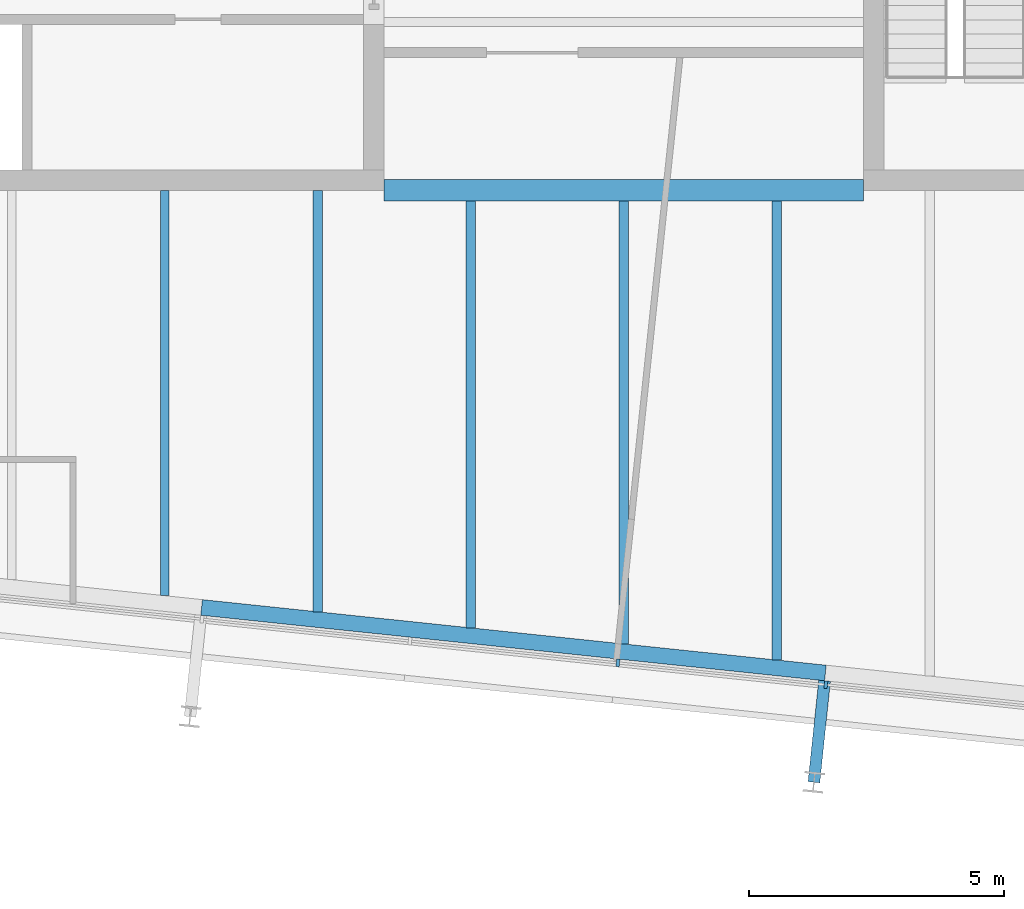
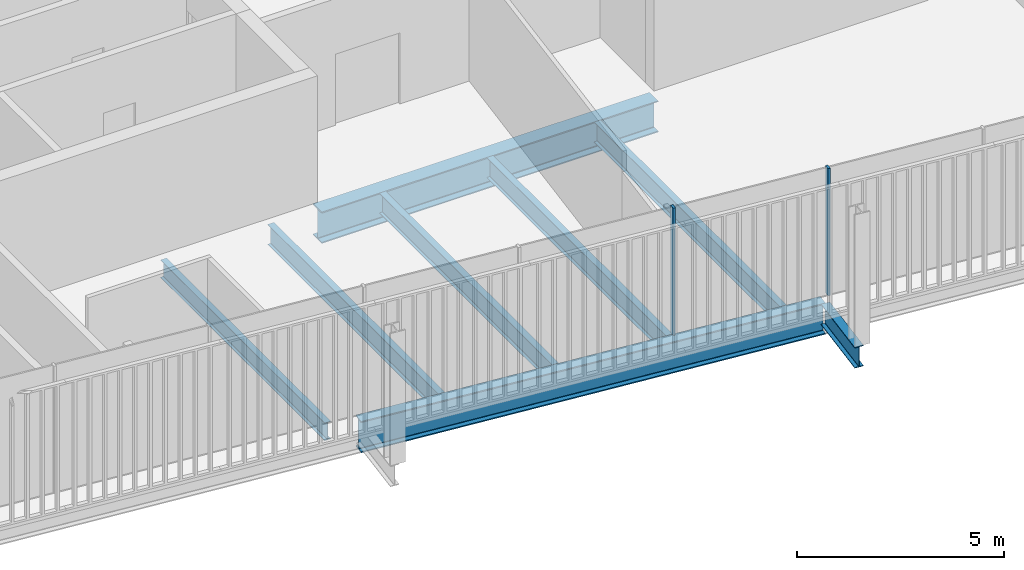
# One storey, part 5 of 20: 8 beams, 2 members, 1 element without a shape of its own.
"""IFC4 building model written with IfcOpenShell, lengths in metres."""

from ifc_helpers import new_model, si_unit, direction, frame, origin, origin_2d, place, context, subcontext, project, spatial, rectangle, i_section, extrude, material, layer, layer_set, material_profile, profile_set, type_object, element, aggregate, save


model = new_model("IFC4")

# Units and contexts
model_context = context("Model", 3, precision=1e-05, world=origin(), true_north=direction((0.0, 1.0)))
body_context = subcontext(model_context, "Body", "Model", "MODEL_VIEW")
ifc_project = project(units=[si_unit("LENGTHUNIT", "METRE"), si_unit("AREAUNIT", "SQUARE_METRE"), si_unit("VOLUMEUNIT", "CUBIC_METRE"), si_unit("PLANEANGLEUNIT", "RADIAN"), si_unit("MASSUNIT", "GRAM", prefix="KILO")], contexts=[model_context])

# Site, building, storey
site_placement = place(None, origin())
site = spatial("IfcSite", under=ifc_project, at=site_placement, CompositionType="ELEMENT")
building_placement = place(site_placement, origin())
building = spatial("IfcBuilding", under=site, at=building_placement, Name="Millrace Tower", CompositionType="ELEMENT")
storey_placement = place(building_placement, frame((0.0, 0.0, 330.39990234375)))
storey = spatial("IfcBuildingStorey", under=building, at=storey_placement, Name="L76", CompositionType="ELEMENT", Elevation=330.39990234375)

# Curtain wall, members
ifc_material_1 = material(Name="Aluminium and glass", Category="aluminium")
ifc_layer = layer(ifc_material_1, 0.14990234375)
ifc_layer_set = layer_set([ifc_layer], Name="Aluminium and glass")
curtain_wall_type = type_object("IfcCurtainWallType", Name="CW-1 office vision curtain wall", PredefinedType="NOTDEFINED", material=ifc_layer_set)
curtain_wall_placement = place(storey_placement, origin())
curtain_wall = element("IfcCurtainWall", 1, at=curtain_wall_placement, inside=storey, type_object=curtain_wall_type, Name="Curtain wall E-F02 L76", PredefinedType="NOTDEFINED")
ifc_material_2 = material(Name="Aluminium", Category="aluminium")
ifc_material_profile_1 = material_profile(ifc_material_2, rectangle(XDim=0.06494140625, YDim=0.14990234375, at=origin_2d()))
ifc_profile_set_1 = profile_set([ifc_material_profile_1], Name="Aluminium")
member_type = type_object("IfcMemberType", Name="CW-1 office vision curtain wall mullion", PredefinedType="MULLION", material=ifc_profile_set_1)
member_1_placement = place(storey_placement, frame((-0.11474609375, -18.567626953125, 0.14013671875), z_axis=(0.0, 0.0, 1.0), x_axis=(0.994521896217, -0.104528455196, 0.0)))
member_1 = element("IfcMember", 2, at=member_1_placement, type_object=member_type, Name="CW1 mullion E-F02.6", PredefinedType="MULLION", context=body_context, shape_type="SweptSolid", body=[
    extrude(rectangle(XDim=0.06494140625, YDim=0.14990234375, at=origin_2d()), origin(), (0.0, 0.0, 1.0), 3.760009765625),
])
member_2_placement = place(storey_placement, frame((3.962890625, -18.99609375, 0.14013671875), z_axis=(0.0, 0.0, 1.0), x_axis=(0.994521896217, -0.104528455196, 0.0)))
member_2 = element("IfcMember", 3, at=member_2_placement, type_object=member_type, Name="CW1 mullion E-F02.7", PredefinedType="MULLION", context=body_context, shape_type="SweptSolid", body=[
    extrude(rectangle(XDim=0.06494140625, YDim=0.14990234375, at=origin_2d()), origin(), (0.0, 0.0, 1.0), 3.760009765625),
])
aggregate(curtain_wall, [member_1, member_2])

# Beams
ifc_material_3 = material(Name="Steel ASTM A992 Grade 50", Category="steel")
ifc_material_profile_2 = material_profile(ifc_material_3, i_section(OverallWidth=0.1650390625, OverallDepth=0.52587890625, WebThickness=0.0087890625, FlangeThickness=0.011474609375, FilletRadius=0.0126953125, at=origin_2d()))
ifc_profile_set_2 = profile_set([ifc_material_profile_2], Name="Steel ASTM A992 Grade 50")
beam_type_1 = type_object("IfcBeamType", Name="Floor beam W21x44", PredefinedType="JOIST", material=ifc_profile_set_2)
beam_1_placement = place(storey_placement, frame((-9.0, -17.249267578125, -0.4228515625), z_axis=(0.0, 1.0, 0.0), x_axis=(-1.0, 0.0, 0.0)))
element("IfcBeam", 4, at=beam_1_placement, inside=storey, type_object=beam_type_1, Name="BM-E-L76-S1-S039", PredefinedType="JOIST", context=body_context, shape_type="SweptSolid", body=[
    extrude(i_section(OverallWidth=0.1650390625, OverallDepth=0.52587890625, WebThickness=0.0087890625, FlangeThickness=0.011474609375, FilletRadius=0.0126953125, at=origin_2d()), origin(), (0.0, 0.0, 1.0), 7.94921875),
])
ifc_material_4 = material(Name="Steel ASTM A992 Grade 50", Category="steel")
ifc_material_profile_3 = material_profile(ifc_material_4, i_section(OverallWidth=0.177978515625, OverallDepth=0.599365234375, WebThickness=0.010009765625, FlangeThickness=0.012939453125, FilletRadius=0.012939453125, at=origin_2d()))
ifc_profile_set_3 = profile_set([ifc_material_profile_3], Name="Steel ASTM A992 Grade 50")
beam_type_2 = type_object("IfcBeamType", Name="Floor beam W24x55", PredefinedType="JOIST", material=ifc_profile_set_3)
beam_2_placement = place(storey_placement, frame((-6.0, -17.564697265625, -0.459716796875), z_axis=(0.0, 1.0, 0.0), x_axis=(-1.0, 0.0, 0.0)))
element("IfcBeam", 5, at=beam_2_placement, inside=storey, type_object=beam_type_2, Name="BM-E-L76-S1-S041", PredefinedType="JOIST", context=body_context, shape_type="SweptSolid", body=[
    extrude(i_section(OverallWidth=0.177978515625, OverallDepth=0.599365234375, WebThickness=0.010009765625, FlangeThickness=0.012939453125, FilletRadius=0.012939453125, at=origin_2d()), origin(), (0.0, 0.0, 1.0), 8.2646484375),
])
beam_3_placement = place(storey_placement, frame((-3.0, -17.8798828125, -0.459716796875), z_axis=(0.0, 1.0, 0.0), x_axis=(-1.0, 0.0, 0.0)))
element("IfcBeam", 6, at=beam_3_placement, inside=storey, type_object=beam_type_2, Name="BM-E-L76-S1-S043", PredefinedType="JOIST", context=body_context, shape_type="SweptSolid", body=[
    extrude(i_section(OverallWidth=0.177978515625, OverallDepth=0.599365234375, WebThickness=0.010009765625, FlangeThickness=0.012939453125, FilletRadius=0.012939453125, at=origin_2d()), origin(), (0.0, 0.0, 1.0), 8.370361328125),
])
beam_4_placement = place(storey_placement, frame((0.0, -18.1953125, -0.459716796875), z_axis=(0.0, 1.0, 0.0), x_axis=(-1.0, 0.0, 0.0)))
element("IfcBeam", 7, at=beam_4_placement, inside=storey, type_object=beam_type_2, Name="BM-E-L76-S1-S045", PredefinedType="JOIST", context=body_context, shape_type="SweptSolid", body=[
    extrude(i_section(OverallWidth=0.177978515625, OverallDepth=0.599365234375, WebThickness=0.010009765625, FlangeThickness=0.012939453125, FilletRadius=0.012939453125, at=origin_2d()), origin(), (0.0, 0.0, 1.0), 8.685791015625),
])
beam_5_placement = place(storey_placement, frame((3.0, -18.510498046875, -0.459716796875), z_axis=(0.0, 1.0, 0.0), x_axis=(-1.0, 0.0, 0.0)))
element("IfcBeam", 8, at=beam_5_placement, inside=storey, type_object=beam_type_2, Name="BM-E-L76-S1-S047", PredefinedType="JOIST", context=body_context, shape_type="SweptSolid", body=[
    extrude(i_section(OverallWidth=0.177978515625, OverallDepth=0.599365234375, WebThickness=0.010009765625, FlangeThickness=0.012939453125, FilletRadius=0.012939453125, at=origin_2d()), origin(), (0.0, 0.0, 1.0), 9.0009765625),
])
ifc_material_5 = material(Name="Steel ASTM A992 Grade 50", Category="steel")
ifc_material_profile_4 = material_profile(ifc_material_5, i_section(OverallWidth=0.419189453125, OverallDepth=0.927001953125, WebThickness=0.019287109375, FlangeThickness=0.031982421875, FilletRadius=0.024169921875, at=origin_2d()))
ifc_profile_set_4 = profile_set([ifc_material_profile_4], Name="Steel ASTM A992 Grade 50")
beam_type_3 = type_object("IfcBeamType", Name="Girder short span W36x231", PredefinedType="BEAM", material=ifc_profile_set_4)
beam_6_placement = place(storey_placement, frame((-4.699951171875, -9.300048828125, -0.62353515625), z_axis=(1.0, 0.0, 0.0), x_axis=(0.0, 1.0, 0.0)))
element("IfcBeam", 9, at=beam_6_placement, inside=storey, type_object=beam_type_3, Name="BM-E-L76-S1-G059", PredefinedType="BEAM", context=body_context, shape_type="SweptSolid", body=[
    extrude(i_section(OverallWidth=0.419189453125, OverallDepth=0.927001953125, WebThickness=0.019287109375, FlangeThickness=0.031982421875, FilletRadius=0.024169921875, at=origin_2d()), origin(), (0.0, 0.0, 1.0), 9.39990234375),
])
ifc_material_6 = material(Name="Steel ASTM A992 Grade 50", Category="steel")
ifc_material_profile_5 = material_profile(ifc_material_6, i_section(OverallWidth=0.23046875, OverallDepth=0.6171875, WebThickness=0.01318359375, FlangeThickness=0.022216796875, FilletRadius=0.012939453125, at=origin_2d()))
ifc_profile_set_5 = profile_set([ifc_material_profile_5], Name="Steel ASTM A992 Grade 50")
beam_type_4 = type_object("IfcBeamType", Name="Link beam W24x94", PredefinedType="BEAM", material=ifc_profile_set_5)
beam_7_placement = place(storey_placement, frame((3.938232421875, -18.918212890625, -0.468505859375), z_axis=(-0.104494148666, -0.99452550138, 0.0), x_axis=(0.99452550138, -0.104494148666, 0.0)))
element("IfcBeam", 10, at=beam_7_placement, inside=storey, type_object=beam_type_4, Name="LNK-E-L76-S1-14", PredefinedType="BEAM", context=body_context, shape_type="SweptSolid", body=[
    extrude(i_section(OverallWidth=0.23046875, OverallDepth=0.6171875, WebThickness=0.01318359375, FlangeThickness=0.022216796875, FilletRadius=0.012939453125, at=origin_2d()), origin(), (0.0, 0.0, 1.0), 2.0),
])
ifc_material_7 = material(Name="Steel ASTM A992 Grade 50", Category="steel")
ifc_material_profile_6 = material_profile(ifc_material_7, i_section(OverallWidth=0.307373046875, OverallDepth=0.927001953125, WebThickness=0.01953125, FlangeThickness=0.031982421875, FilletRadius=0.01904296875, at=origin_2d()))
ifc_profile_set_6 = profile_set([ifc_material_profile_6], Name="Steel ASTM A992 Grade 50")
beam_type_5 = type_object("IfcBeamType", Name="Ring beam medium span W36x194", PredefinedType="SPANDREL", material=ifc_profile_set_6)
beam_8_placement = place(storey_placement, frame((3.954345703125, -18.765380859375, -0.62353515625), z_axis=(-0.994522406476, 0.104523600289, 0.0), x_axis=(-0.104523600289, -0.994522406476, 0.0)))
element("IfcBeam", 11, at=beam_8_placement, inside=storey, type_object=beam_type_5, Name="RNG-E-L76-S1-14", PredefinedType="SPANDREL", context=body_context, shape_type="SweptSolid", body=[
    extrude(i_section(OverallWidth=0.307373046875, OverallDepth=0.927001953125, WebThickness=0.01953125, FlangeThickness=0.031982421875, FilletRadius=0.01904296875, at=origin_2d()), origin(), (0.0, 0.0, 1.0), 12.300048828125),
])

save(model, "model.ifc")
